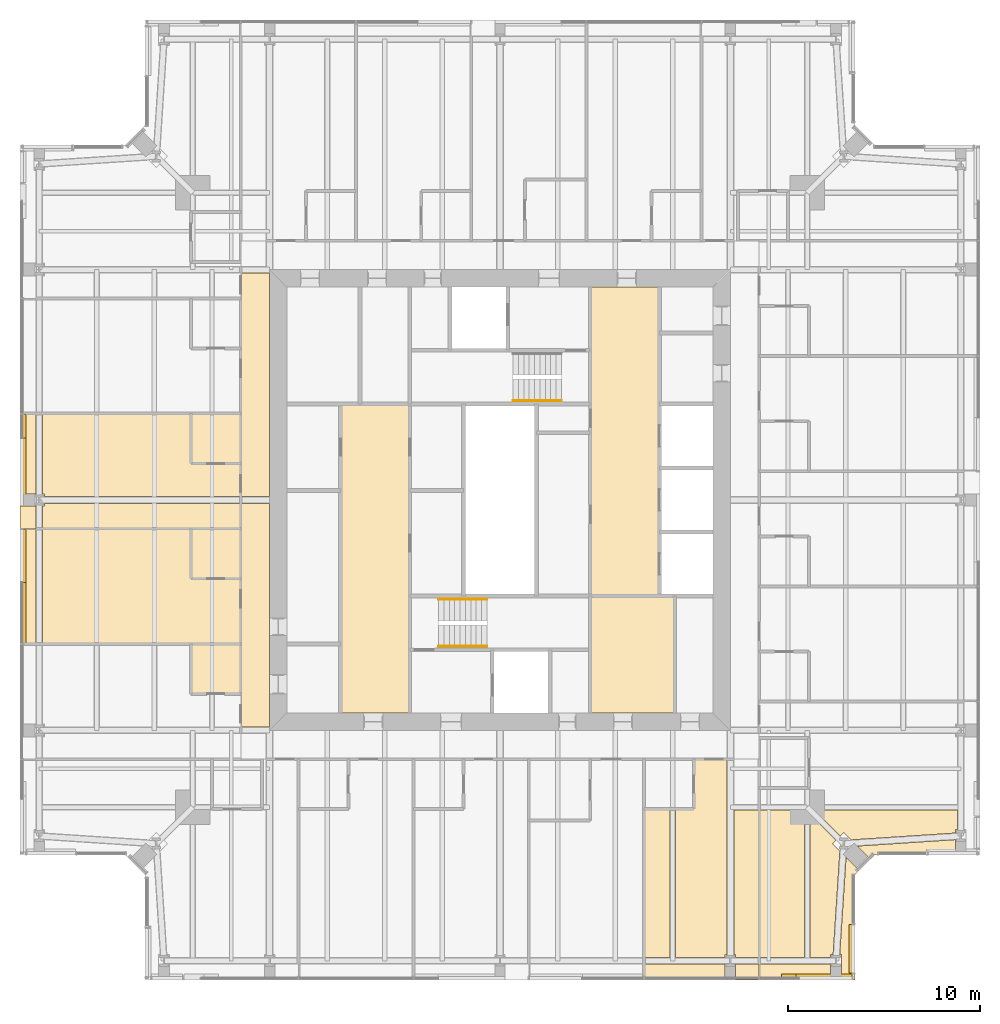
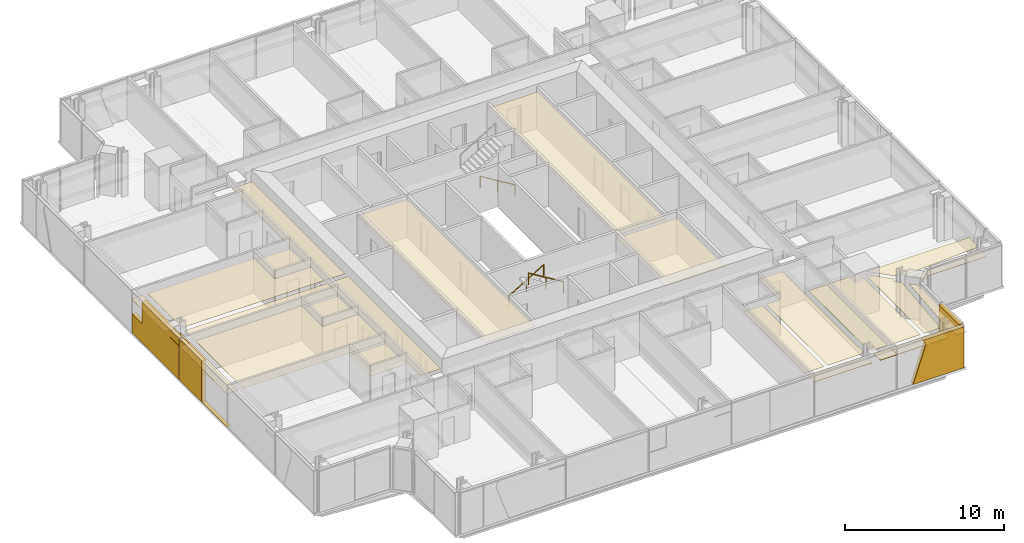
# One storey, part 17 of 20: 29 coverings, 3 railings.
"""IFC4 building model written with IfcOpenShell, lengths in metres."""

from ifc_helpers import new_model, si_unit, direction, frame, origin, origin_2d, place, context, subcontext, project, spatial, polyline, circle, outline, extrude, material, layer, layer_set, type_object, element, save


model = new_model("IFC4")

# Units and contexts
model_context = context("Model", 3, precision=1e-05, world=origin(), true_north=direction((0.0, 1.0)))
body_context = subcontext(model_context, "Body", "Model", "MODEL_VIEW")
ifc_project = project(units=[si_unit("LENGTHUNIT", "METRE"), si_unit("AREAUNIT", "SQUARE_METRE"), si_unit("VOLUMEUNIT", "CUBIC_METRE"), si_unit("PLANEANGLEUNIT", "RADIAN"), si_unit("MASSUNIT", "GRAM", prefix="KILO")], contexts=[model_context])

# Site, building, storey
site_placement = place(None, origin())
site = spatial("IfcSite", under=ifc_project, at=site_placement, CompositionType="ELEMENT")
building_placement = place(site_placement, origin())
building = spatial("IfcBuilding", under=site, at=building_placement, Name="Fenwick Lantern Interchange", CompositionType="ELEMENT")
storey_placement = place(building_placement, frame((0.0, 0.0, 252.60009765625)))
storey = spatial("IfcBuildingStorey", under=building, at=storey_placement, Name="L59", CompositionType="ELEMENT", Elevation=252.60009765625)

# Coverings
ifc_material_1 = material(Name="Granite cladding, warm grey flamed finish, on aluminium carrier frame", Category="masonry")
ifc_layer_1 = layer(ifc_material_1, 0.300048828125)
ifc_layer_set_1 = layer_set([ifc_layer_1], Name="BRACE CASING PANEL 300")
covering_type_1 = type_object("IfcCoveringType", Name="BRACE CASING PANEL 300", PredefinedType="CLADDING", material=ifc_layer_set_1)
covering_1_placement = place(storey_placement, frame((6.60009765625, 0.10009765625, 0.0), z_axis=(0.0, 0.0, 1.0), x_axis=(1.0, 0.0, 0.0)))
element("IfcCovering", 1, at=covering_1_placement, inside=storey, type_object=covering_type_1, Name="Brace casing 01 bay 06a", PredefinedType="CLADDING", context=body_context, shape_type="SweptSolid", body=[
    extrude(outline(polyline([(33.056884765625, 0.0), (36.739990234375, 0.0), (36.739990234375, 3.14990234375), (33.814453125, 3.14990234375), (33.981201171875, 2.737548828125), (33.056884765625, 0.0)])), frame((0.0, 0.2099609375, 0.0), z_axis=(0.0, -1.0, 0.0), x_axis=(1.0, 0.0, 0.0)), (0.0, 0.0, 1.0), 0.300048828125),
])
covering_2_placement = place(storey_placement, frame((43.39990234375, 0.10009765625, 0.0), z_axis=(0.0, 0.0, 1.0), x_axis=(0.0, 1.0, 0.0)))
element("IfcCovering", 2, at=covering_2_placement, inside=storey, type_object=covering_type_1, Name="Brace casing 02 bay 00a", PredefinedType="CLADDING", context=body_context, shape_type="SweptSolid", body=[
    extrude(outline(polyline([(0.260009765625, 0.0), (2.790771484375, 0.0), (2.790771484375, 3.14990234375), (0.260009765625, 3.14990234375), (0.260009765625, 0.0)])), frame((0.0, 0.2099609375, 0.0), z_axis=(0.0, -1.0, 0.0), x_axis=(1.0, 0.0, 0.0)), (0.0, 0.0, 1.0), 0.300048828125),
])
covering_3_placement = place(storey_placement, frame((0.10009765625, 43.39990234375, 0.0), z_axis=(0.0, 0.0, 1.0), x_axis=(0.0, -1.0, 0.0)))
element("IfcCovering", 3, at=covering_3_placement, inside=storey, type_object=covering_type_1, Name="Brace casing 13 bay 03a", PredefinedType="CLADDING", context=body_context, shape_type="SweptSolid", body=[
    extrude(outline(polyline([(13.929931640625, 0.0), (19.8701171875, 0.0), (19.8701171875, 3.14990234375), (15.179931640625, 3.14990234375), (15.179931640625, 1.45751953125), (13.929931640625, 1.45751953125), (13.929931640625, 0.0)])), frame((0.0, 0.2099609375, 0.0), z_axis=(0.0, -1.0, 0.0), x_axis=(1.0, 0.0, 0.0)), (0.0, 0.0, 1.0), 0.300048828125),
])
covering_4_placement = place(storey_placement, frame((0.10009765625, 43.39990234375, 0.0), z_axis=(0.0, 0.0, 1.0), x_axis=(0.0, -1.0, 0.0)))
element("IfcCovering", 4, at=covering_4_placement, inside=storey, type_object=covering_type_1, Name="Brace casing 13 bay 04a", PredefinedType="CLADDING", context=body_context, shape_type="SweptSolid", body=[
    extrude(outline(polyline([(19.929931640625, 0.0), (25.8701171875, 0.0), (25.8701171875, 0.004150390625), (22.690673828125, 0.004150390625), (22.690673828125, 3.14990234375), (19.929931640625, 3.14990234375), (19.929931640625, 0.0)])), frame((0.0, 0.2099609375, 0.0), z_axis=(0.0, -1.0, 0.0), x_axis=(1.0, 0.0, 0.0)), (0.0, 0.0, 1.0), 0.300048828125),
])

# Railings
ifc_material_2 = material(Name="Stainless steel handrail", Category="steel")
railing_type = type_object("IfcRailingType", Name="HANDRAIL 900", PredefinedType="HANDRAIL", material=ifc_material_2)
railing_placement = place(storey_placement, frame((21.800048828125, 19.825927734375, 0.169921875)))
element("IfcRailing", 5, at=railing_placement, inside=storey, type_object=railing_type, Name="L59/STAIR/ST1/HR1", PredefinedType="HANDRAIL", context=body_context, shape_type="SweptSolid", body=[
    extrude(circle(Radius=0.02392578125, at=origin_2d()), frame((0.0, 0.0, 0.8759765625), z_axis=(0.85478489116, 0.0, 0.518982456201), x_axis=(0.0, 1.0, 0.0)), (0.0, 0.0, 1.0), 2.9482421875),
    extrude(circle(Radius=0.02099609375, at=origin_2d()), origin(), (0.0, 0.0, 1.0), 0.851806640625),
    extrude(circle(Radius=0.02099609375, at=origin_2d()), frame((1.260009765625, 0.0, 0.76513671875)), (0.0, 0.0, 1.0), 0.851806640625),
    extrude(circle(Radius=0.02099609375, at=origin_2d()), frame((2.52001953125, 0.0, 1.530029296875)), (0.0, 0.0, 1.0), 0.851806640625),
])
for number, where, name in (
    (6, (24.320068359375, 17.3740234375, 1.869873046875), "L59/STAIR/ST1/HR2"),
    (7, (28.199951171875, 30.174072265625, 0.169921875), "L59/STAIR/ST2/HR1"),
):
    element("IfcRailing", number, at=place(storey_placement, frame(where)), inside=storey, type_object=railing_type, Name=name, PredefinedType="HANDRAIL", context=body_context, shape_type="SweptSolid", body=[
        extrude(circle(Radius=0.02392578125, at=origin_2d()), frame((0.0, 0.0, 0.8759765625), z_axis=(-0.85478489116, 0.0, 0.518982456201), x_axis=(0.0, -1.0, 0.0)), (0.0, 0.0, 1.0), 2.9482421875),
        extrude(circle(Radius=0.02099609375, at=origin_2d()), origin(), (0.0, 0.0, 1.0), 0.851806640625),
        extrude(circle(Radius=0.02099609375, at=origin_2d()), frame((-1.260009765625, 0.0, 0.76513671875)), (0.0, 0.0, 1.0), 0.851806640625),
        extrude(circle(Radius=0.02099609375, at=origin_2d()), frame((-2.52001953125, 0.0, 1.530029296875)), (0.0, 0.0, 1.0), 0.851806640625),
    ])

# Coverings
ifc_material_3 = material(Name="Moisture resistant gypsum board on suspended frame, painted")
ifc_layer_2 = layer(ifc_material_3, 0.014892578125)
ifc_layer_set_2 = layer_set([ifc_layer_2], Name="MOISTURE RESISTANT CEILING 15")
covering_type_2 = type_object("IfcCoveringType", Name="MOISTURE RESISTANT CEILING 15", PredefinedType="CEILING", material=ifc_layer_set_2)
covering_5_placement = place(storey_placement, frame((0.0, 0.0, 2.599853515625)))
element("IfcCovering", 8, at=covering_5_placement, inside=storey, type_object=covering_type_2, Name="Women's WC ceiling", PredefinedType="CEILING", context=body_context, shape_type="SweptSolid", body=[
    extrude(outline(polyline([(29.699951171875, 13.89990234375), (34.10009765625, 13.89990234375), (34.10009765625, 20.0), (29.699951171875, 20.0), (29.699951171875, 13.89990234375)])), origin(), (0.0, 0.0, 1.0), 0.01513671875),
])
covering_6_placement = place(storey_placement, frame((0.0, 0.0, 2.39990234375)))
element("IfcCovering", 9, at=covering_6_placement, inside=storey, type_object=covering_type_2, Name="En-suite 5918 ceiling", PredefinedType="CEILING", context=body_context, shape_type="SweptSolid", body=[
    extrude(outline(polyline([(8.89990234375, 29.5), (8.89990234375, 26.89990234375), (11.5, 26.89990234375), (11.5, 29.5), (8.89990234375, 29.5)])), origin(), (0.0, 0.0, 1.0), 0.014892578125),
])
covering_7_placement = place(storey_placement, frame((0.0, 0.0, 2.39990234375)))
element("IfcCovering", 10, at=covering_7_placement, inside=storey, type_object=covering_type_2, Name="En-suite 5919 ceiling", PredefinedType="CEILING", context=body_context, shape_type="SweptSolid", body=[
    extrude(outline(polyline([(8.89990234375, 23.5), (8.89990234375, 20.89990234375), (11.5, 20.89990234375), (11.5, 23.5), (8.89990234375, 23.5)])), origin(), (0.0, 0.0, 1.0), 0.014892578125),
])
covering_8_placement = place(storey_placement, frame((0.0, 0.0, 2.39990234375)))
element("IfcCovering", 11, at=covering_8_placement, inside=storey, type_object=covering_type_2, Name="En-suite 5920 ceiling", PredefinedType="CEILING", context=body_context, shape_type="SweptSolid", body=[
    extrude(outline(polyline([(8.89990234375, 17.5), (8.89990234375, 14.89990234375), (11.5, 14.89990234375), (11.5, 17.5), (8.89990234375, 17.5)])), origin(), (0.0, 0.0, 1.0), 0.014892578125),
])
ifc_material_4 = material(Name="Gypsum plasterboard on suspended frame, painted")
ifc_layer_3 = layer(ifc_material_4, 0.014892578125)
ifc_layer_set_3 = layer_set([ifc_layer_3], Name="PLASTERBOARD CEILING 15")
covering_type_3 = type_object("IfcCoveringType", Name="PLASTERBOARD CEILING 15", PredefinedType="CEILING", material=ifc_layer_set_3)
covering_9_placement = place(storey_placement, frame((0.0, 0.0, 2.7998046875)))
element("IfcCovering", 12, at=covering_9_placement, inside=storey, type_object=covering_type_3, Name="Lift lobby ceiling", PredefinedType="CEILING", context=body_context, shape_type="SweptSolid", body=[
    extrude(outline(polyline([(16.699951171875, 13.89990234375), (20.300048828125, 13.89990234375), (20.300048828125, 30.0), (16.699951171875, 30.0), (16.699951171875, 13.89990234375)])), origin(), (0.0, 0.0, 1.0), 0.01513671875),
])
covering_10_placement = place(storey_placement, frame((0.0, 0.0, 2.7998046875)))
element("IfcCovering", 13, at=covering_10_placement, inside=storey, type_object=covering_type_3, Name="Lift lobby ceiling", PredefinedType="CEILING", context=body_context, shape_type="SweptSolid", body=[
    extrude(outline(polyline([(33.300048828125, 36.10009765625), (29.699951171875, 36.10009765625), (29.699951171875, 20.0), (33.300048828125, 20.0), (33.300048828125, 36.10009765625)])), origin(), (0.0, 0.0, 1.0), 0.01513671875),
])
covering_11_placement = place(storey_placement, frame((0.0, 0.0, 2.57275390625)))
element("IfcCovering", 14, at=covering_11_placement, inside=storey, type_object=covering_type_3, Name="Corridor ceiling", PredefinedType="CEILING", context=body_context, shape_type="SweptSolid", body=[
    extrude(outline(polyline([(11.5, 36.833984375), (11.5, 25.175048828125), (13.0, 25.175048828125), (13.0, 36.833984375), (11.5, 36.833984375)])), origin(), (0.0, 0.0, 1.0), 0.014892578125),
])
covering_12_placement = place(storey_placement, frame((0.0, 0.0, 2.57275390625)))
element("IfcCovering", 15, at=covering_12_placement, inside=storey, type_object=covering_type_3, Name="Corridor ceiling", PredefinedType="CEILING", context=body_context, shape_type="SweptSolid", body=[
    extrude(outline(polyline([(11.5, 24.824951171875), (11.5, 13.166015625), (13.0, 13.166015625), (13.0, 24.824951171875), (11.5, 24.824951171875)])), origin(), (0.0, 0.0, 1.0), 0.014892578125),
])
covering_13_placement = place(storey_placement, frame((0.0, 0.0, 2.699951171875)))
element("IfcCovering", 16, at=covering_13_placement, inside=storey, type_object=covering_type_3, Name="Guest room 5905 ceiling", PredefinedType="CEILING", context=body_context, shape_type="SweptSolid", body=[
    extrude(outline(polyline([(36.72265625, 1.33447265625), (36.816162109375, 1.33447265625), (36.816162109375, 11.5), (35.10009765625, 11.5), (35.10009765625, 8.89990234375), (34.134521484375, 8.89990234375), (34.134521484375, 1.17236328125), (36.72265625, 1.17236328125), (36.72265625, 1.33447265625)])), origin(), (0.0, 0.0, 1.0), 0.014892578125),
])
covering_14_placement = place(storey_placement, frame((0.0, 0.0, 2.699951171875)))
element("IfcCovering", 17, at=covering_14_placement, inside=storey, type_object=covering_type_3, Name="Guest room 5905 ceiling", PredefinedType="CEILING", context=body_context, shape_type="SweptSolid", body=[
    extrude(outline(polyline([(32.5, 8.89990234375), (32.5, 1.17236328125), (33.865478515625, 1.17236328125), (33.865478515625, 8.89990234375), (32.5, 8.89990234375)])), origin(), (0.0, 0.0, 1.0), 0.014892578125),
])
covering_15_placement = place(storey_placement, frame((0.0, 0.0, 2.699951171875)))
element("IfcCovering", 18, at=covering_15_placement, inside=storey, type_object=covering_type_3, Name="Guest room 5905 ceiling", PredefinedType="CEILING", context=body_context, shape_type="SweptSolid", body=[
    extrude(outline(polyline([(37.27734375, 1.33447265625), (37.27734375, 1.17236328125), (38.5, 1.17236328125), (38.5, 8.865478515625), (37.183837890625, 8.865478515625), (37.183837890625, 1.33447265625), (37.27734375, 1.33447265625)])), origin(), (0.0, 0.0, 1.0), 0.014892578125),
])
covering_16_placement = place(storey_placement, frame((0.0, 0.0, 2.699951171875)))
element("IfcCovering", 19, at=covering_16_placement, inside=storey, type_object=covering_type_3, Name="Guest room 5905 ceiling", PredefinedType="CEILING", context=body_context, shape_type="SweptSolid", body=[
    extrude(outline(polyline([(36.72265625, 0.0), (36.72265625, 0.82763671875), (32.5, 0.82763671875), (32.5, 0.0), (36.72265625, 0.0)])), origin(), (0.0, 0.0, 1.0), 0.014892578125),
])
covering_17_placement = place(storey_placement, frame((0.0, 0.0, 2.699951171875)))
element("IfcCovering", 20, at=covering_17_placement, inside=storey, type_object=covering_type_3, Name="Guest room 5905 ceiling", PredefinedType="CEILING", context=body_context, shape_type="SweptSolid", body=[
    extrude(outline(polyline([(37.27734375, 0.0), (38.5, 0.0), (38.5, 0.82763671875), (37.27734375, 0.82763671875), (37.27734375, 0.0)])), origin(), (0.0, 0.0, 1.0), 0.014892578125),
])
covering_18_placement = place(storey_placement, frame((0.0, 0.0, 2.699951171875)))
element("IfcCovering", 21, at=covering_18_placement, inside=storey, type_object=covering_type_3, Name="Guest suite 5906 ceiling", PredefinedType="CEILING", context=body_context, shape_type="SweptSolid", body=[
    extrude(outline(polyline([(38.5, 8.865478515625), (38.5, 1.17236328125), (40.865478515625, 1.17236328125), (40.865478515625, 8.865478515625), (38.5, 8.865478515625)])), origin(), (0.0, 0.0, 1.0), 0.014892578125),
])
covering_19_placement = place(storey_placement, frame((0.0, 0.0, 2.699951171875)))
element("IfcCovering", 22, at=covering_19_placement, inside=storey, type_object=covering_type_3, Name="Guest suite 5906 ceiling", PredefinedType="CEILING", context=body_context, shape_type="SweptSolid", body=[
    extrude(outline(polyline([(48.72265625, 7.83447265625), (48.82763671875, 7.83447265625), (48.82763671875, 8.865478515625), (41.351318359375, 8.865478515625), (42.71728515625, 7.499755859375), (42.89990234375, 7.6826171875), (43.284423828125, 7.298095703125), (48.72265625, 7.654541015625), (48.72265625, 7.83447265625)])), origin(), (0.0, 0.0, 1.0), 0.014892578125),
])
covering_20_placement = place(storey_placement, frame((0.0, 0.0, 2.699951171875)))
element("IfcCovering", 23, at=covering_20_placement, inside=storey, type_object=covering_type_3, Name="Guest suite 5906 ceiling", PredefinedType="CEILING", context=body_context, shape_type="SweptSolid", body=[
    extrude(outline(polyline([(42.22265625, 1.33447265625), (42.34912109375, 1.33447265625), (42.701904296875, 6.715576171875), (42.3173828125, 7.10009765625), (42.500244140625, 7.28271484375), (41.134521484375, 8.648681640625), (41.134521484375, 1.17236328125), (42.22265625, 1.17236328125), (42.22265625, 1.33447265625)])), origin(), (0.0, 0.0, 1.0), 0.014892578125),
])
covering_21_placement = place(storey_placement, frame((0.0, 0.0, 2.699951171875)))
element("IfcCovering", 24, at=covering_21_placement, inside=storey, type_object=covering_type_3, Name="Guest suite 5906 ceiling", PredefinedType="CEILING", context=body_context, shape_type="SweptSolid", body=[
    extrude(outline(polyline([(42.69482421875, 1.33447265625), (42.77734375, 1.33447265625), (42.77734375, 0.0), (43.5, 0.0), (43.5, 5.5), (43.708740234375, 5.708740234375), (43.0263671875, 6.39111328125), (42.69482421875, 1.33447265625)])), origin(), (0.0, 0.0, 1.0), 0.014892578125),
])
covering_22_placement = place(storey_placement, frame((0.0, 0.0, 2.699951171875)))
element("IfcCovering", 25, at=covering_22_placement, inside=storey, type_object=covering_type_3, Name="Guest suite 5906 ceiling", PredefinedType="CEILING", context=body_context, shape_type="SweptSolid", body=[
    extrude(outline(polyline([(48.72265625, 6.5), (48.72265625, 7.30908203125), (43.60888671875, 6.9736328125), (44.291259765625, 6.291259765625), (44.5, 6.5), (48.72265625, 6.5)])), origin(), (0.0, 0.0, 1.0), 0.014892578125),
])
covering_23_placement = place(storey_placement, frame((0.0, 0.0, 2.699951171875)))
element("IfcCovering", 26, at=covering_23_placement, inside=storey, type_object=covering_type_3, Name="Guest suite 5906 ceiling", PredefinedType="CEILING", context=body_context, shape_type="SweptSolid", body=[
    extrude(outline(polyline([(42.22265625, 0.0), (42.22265625, 0.82763671875), (38.5, 0.82763671875), (38.5, 0.0), (42.22265625, 0.0)])), origin(), (0.0, 0.0, 1.0), 0.014892578125),
])
covering_24_placement = place(storey_placement, frame((0.0, 0.0, 2.57275390625)))
element("IfcCovering", 27, at=covering_24_placement, inside=storey, type_object=covering_type_3, Name="Guest room 5918 ceiling", PredefinedType="CEILING", context=body_context, shape_type="SweptSolid", body=[
    extrude(outline(polyline([(1.27099609375, 25.3154296875), (1.27099609375, 25.175048828125), (11.5, 25.175048828125), (11.5, 26.89990234375), (8.89990234375, 26.89990234375), (8.89990234375, 29.5), (1.17236328125, 29.5), (1.17236328125, 25.3154296875), (1.27099609375, 25.3154296875)])), origin(), (0.0, 0.0, 1.0), 0.014892578125),
])
covering_25_placement = place(storey_placement, frame((0.0, 0.0, 2.57275390625)))
element("IfcCovering", 28, at=covering_25_placement, inside=storey, type_object=covering_type_3, Name="Guest room 5918 ceiling", PredefinedType="CEILING", context=body_context, shape_type="SweptSolid", body=[
    extrude(outline(polyline([(1.27099609375, 24.6845703125), (1.17236328125, 24.6845703125), (1.17236328125, 23.5), (11.5, 23.5), (11.5, 24.824951171875), (1.27099609375, 24.824951171875), (1.27099609375, 24.6845703125)])), origin(), (0.0, 0.0, 1.0), 0.014892578125),
])
covering_26_placement = place(storey_placement, frame((0.0, 0.0, 2.57275390625)))
element("IfcCovering", 29, at=covering_26_placement, inside=storey, type_object=covering_type_3, Name="Guest room 5918 ceiling", PredefinedType="CEILING", context=body_context, shape_type="SweptSolid", body=[
    extrude(outline(polyline([(0.0, 25.3154296875), (0.82763671875, 25.3154296875), (0.82763671875, 29.5), (0.0, 29.5), (0.0, 25.3154296875)])), origin(), (0.0, 0.0, 1.0), 0.014892578125),
])
covering_27_placement = place(storey_placement, frame((0.0, 0.0, 2.57275390625)))
element("IfcCovering", 30, at=covering_27_placement, inside=storey, type_object=covering_type_3, Name="Guest room 5918 ceiling", PredefinedType="CEILING", context=body_context, shape_type="SweptSolid", body=[
    extrude(outline(polyline([(0.0, 24.6845703125), (0.0, 23.5), (0.82763671875, 23.5), (0.82763671875, 24.6845703125), (0.0, 24.6845703125)])), origin(), (0.0, 0.0, 1.0), 0.014892578125),
])
covering_28_placement = place(storey_placement, frame((0.0, 0.0, 2.57275390625)))
element("IfcCovering", 31, at=covering_28_placement, inside=storey, type_object=covering_type_3, Name="Guest room 5919 ceiling", PredefinedType="CEILING", context=body_context, shape_type="SweptSolid", body=[
    extrude(outline(polyline([(1.17236328125, 17.5), (11.5, 17.5), (11.5, 20.89990234375), (8.89990234375, 20.89990234375), (8.89990234375, 23.5), (1.17236328125, 23.5), (1.17236328125, 17.5)])), origin(), (0.0, 0.0, 1.0), 0.014892578125),
])
covering_29_placement = place(storey_placement, frame((0.0, 0.0, 2.57275390625)))
element("IfcCovering", 32, at=covering_29_placement, inside=storey, type_object=covering_type_3, Name="Guest room 5919 ceiling", PredefinedType="CEILING", context=body_context, shape_type="SweptSolid", body=[
    extrude(outline(polyline([(0.0, 17.5), (0.82763671875, 17.5), (0.82763671875, 23.5), (0.0, 23.5), (0.0, 17.5)])), origin(), (0.0, 0.0, 1.0), 0.014892578125),
])

save(model, "model.ifc")
